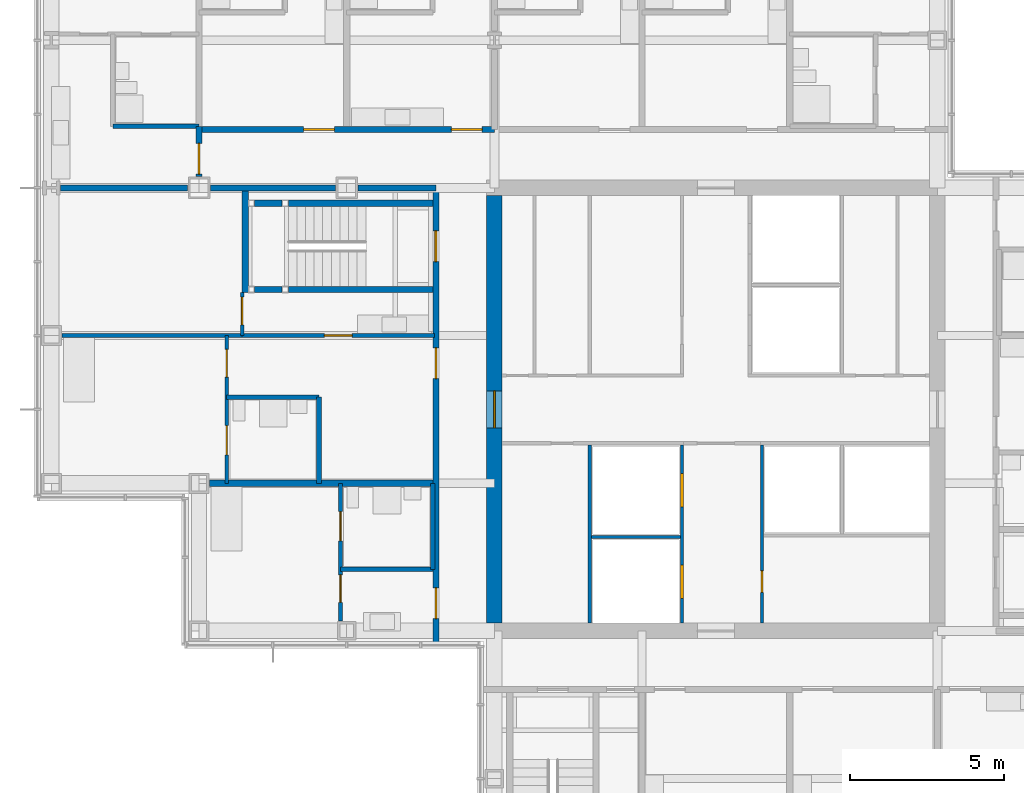
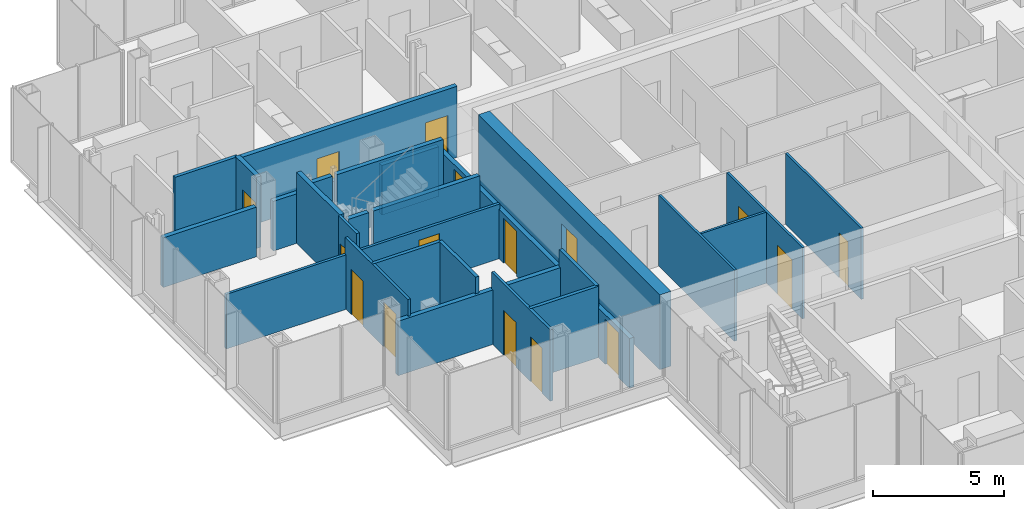
# One storey, part 14 of 20: 27 walls, 16 doors, 16 openings.
"""IFC4 building model written with IfcOpenShell, lengths in metres."""

from ifc_helpers import new_model, si_unit, direction, frame, frame_2d, origin, place, context, subcontext, project, spatial, rectangle, extrude, material, layer, layer_set, type_object, element, fill, save


model = new_model("IFC4")

# Units and contexts
model_context = context("Model", 3, precision=1e-05, world=origin(), true_north=direction((0.0, 1.0)))
body_context = subcontext(model_context, "Body", "Model", "MODEL_VIEW")
ifc_project = project(units=[si_unit("LENGTHUNIT", "METRE"), si_unit("AREAUNIT", "SQUARE_METRE"), si_unit("VOLUMEUNIT", "CUBIC_METRE"), si_unit("PLANEANGLEUNIT", "RADIAN"), si_unit("MASSUNIT", "GRAM", prefix="KILO")], contexts=[model_context])

# Site, building, storey
site_placement = place(None, origin())
site = spatial("IfcSite", under=ifc_project, at=site_placement, CompositionType="ELEMENT")
building_placement = place(site_placement, origin())
building = spatial("IfcBuilding", under=site, at=building_placement, Name="Kvirike Care Tower", CompositionType="ELEMENT")
storey_placement = place(building_placement, frame((0.0, 0.0, 91.0)))
storey = spatial("IfcBuildingStorey", under=building, at=storey_placement, Name="L24", CompositionType="ELEMENT", Elevation=91.0)

# Walls
ifc_material_1 = material(Name="Moisture-resistant board partition", Category="gypsum")
ifc_layer_1 = layer(ifc_material_1, 0.14990234375)
ifc_layer_set_1 = layer_set([ifc_layer_1], Name="BATHROOM WALL 150")
wall_type_1 = type_object("IfcWallType", Name="BATHROOM WALL 150", PredefinedType="PARTITIONING", material=ifc_layer_set_1)
wall_1_placement = place(storey_placement, frame((5.699951171875, 36.39990234375, 0.0), z_axis=(0.0, 0.0, 1.0), x_axis=(1.0, 0.0, 0.0)))
element("IfcWall", 1, at=wall_1_placement, inside=storey, type_object=wall_type_1, Name="Bathroom Wall 150 L24", PredefinedType="PARTITIONING", context=body_context, shape_type="SweptSolid", body=[
    extrude(rectangle(XDim=3.0, YDim=0.14990234375, at=frame_2d((1.5, 0.0))), origin(), (0.0, 0.0, 1.0), 3.330078125),
])
wall_2_placement = place(storey_placement, frame((8.699951171875, 36.39990234375, 0.0), z_axis=(0.0, 0.0, 1.0), x_axis=(0.0, -1.0, 0.0)))
element("IfcWall", 2, at=wall_2_placement, inside=storey, type_object=wall_type_1, Name="Bathroom Wall 150 L24", PredefinedType="PARTITIONING", context=body_context, shape_type="SweptSolid", body=[
    extrude(rectangle(XDim=2.7998046875, YDim=0.14990234375, at=frame_2d((1.39990234375, 0.0))), origin(), (0.0, 0.0, 1.0), 3.330078125),
])
wall_3_placement = place(storey_placement, frame((9.39990234375, 30.800048828125, 0.0), z_axis=(0.0, 0.0, 1.0), x_axis=(1.0, 0.0, 0.0)))
element("IfcWall", 3, at=wall_3_placement, inside=storey, type_object=wall_type_1, Name="Bathroom Wall 150 L24", PredefinedType="PARTITIONING", context=body_context, shape_type="SweptSolid", body=[
    extrude(rectangle(XDim=3.0, YDim=0.14990234375, at=frame_2d((1.5, 0.0))), origin(), (0.0, 0.0, 1.0), 3.330078125),
])
for number, where, z_axis, x_axis, name in (
    (4, (12.39990234375, 33.60009765625, 0.0), (0.0, 0.0, 1.0), (0.0, -1.0, 0.0), "Bathroom Wall 150 L24"),
    (5, (4.800048828125, 45.199951171875, 0.0), (0.0, 0.0, 1.0), (-1.0, 0.0, 0.0), "Bathroom Wall 150 L24"),
):
    element("IfcWall", number, at=place(storey_placement, frame(where, z_axis=z_axis, x_axis=x_axis)), inside=storey, type_object=wall_type_1, Name=name, PredefinedType="PARTITIONING", context=body_context, shape_type="SweptSolid", body=[
        extrude(rectangle(XDim=2.800048828125, YDim=0.14990234375, at=frame_2d((1.39990234375, 0.0))), origin(), (0.0, 0.0, 1.0), 3.330078125),
    ])

# Wall, opening, door
ifc_material_2 = material(Name="Concrete C50/60", Category="concrete")
ifc_layer_2 = layer(ifc_material_2, 0.5)
ifc_layer_set_2 = layer_set([ifc_layer_2], Name="CORE WALL 500 C50-60")
wall_type_2 = type_object("IfcWallType", Name="CORE WALL 500 C50-60", PredefinedType="SHEAR", material=ifc_layer_set_2)
wall_4_placement = place(storey_placement, frame((14.39990234375, 42.949951171875, -0.169921875), z_axis=(0.0, 0.0, 1.0), x_axis=(0.0, -1.0, 0.0)))
wall_4 = element("IfcWall", 6, at=wall_4_placement, inside=storey, type_object=wall_type_2, Name="Core wall W L24", PredefinedType="SHEAR", context=body_context, shape_type="SweptSolid", body=[
    extrude(rectangle(XDim=13.89990234375, YDim=0.5, at=frame_2d((6.949951171875, 0.0))), origin(), (0.0, 0.0, 1.0), 3.5),
])
opening_1_placement = place(wall_4_placement, frame((6.35009765625, 0.0, 0.169921875)))
opening_1 = element("IfcOpeningElement", 7, at=opening_1_placement, cuts=wall_4, Name="Opening 24-067", PredefinedType="OPENING", context=body_context, shape_type="SweptSolid", body=[
    extrude(rectangle(XDim=1.199951171875, YDim=2.10009765625, at=frame_2d((0.60009765625, 1.050048828125))), frame((0.0, 0.260498046875, 0.0), z_axis=(0.0, -1.0, 0.0), x_axis=(1.0, 0.0, 0.0)), (0.0, 0.0, 1.0), 0.52099609375),
])
ifc_material_3 = material(Name="Timber door set", Category="wood")
door_type_1 = type_object("IfcDoorType", Name="CORE DOOR 1200", OperationType="SINGLE_SWING_LEFT", PredefinedType="DOOR", material=ifc_material_3)
door_1_placement = place(opening_1_placement, origin())
door_1 = element("IfcDoor", 8, at=door_1_placement, inside=storey, type_object=door_type_1, Name="Core door W L24", OperationType="SINGLE_SWING_LEFT", OverallHeight=2.10009765625, OverallWidth=1.199951171875, PredefinedType="DOOR", context=body_context, shape_type="SweptSolid", body=[
    extrude(rectangle(XDim=1.199951171875, YDim=2.10009765625, at=frame_2d((0.60009765625, 1.050048828125))), frame((0.0, 0.02685546875, 0.0), z_axis=(0.0, -1.0, 0.0), x_axis=(1.0, 0.0, 0.0)), (0.0, 0.0, 1.0), 0.053955078125),
])
fill(opening_1, door_1)

# Wall, openings, doors
ifc_material_4 = material(Name="Plasterboard corridor wall", Category="gypsum")
ifc_layer_3 = layer(ifc_material_4, 0.199951171875)
ifc_layer_set_3 = layer_set([ifc_layer_3], Name="CORRIDOR WALL 200")
wall_type_3 = type_object("IfcWallType", Name="CORRIDOR WALL 200", PredefinedType="PARTITIONING", material=ifc_layer_set_3)
wall_5_placement = place(storey_placement, frame((12.5, 43.199951171875, 0.0), z_axis=(0.0, 0.0, 1.0), x_axis=(0.0, -1.0, 0.0)))
wall_5 = element("IfcWall", 9, at=wall_5_placement, inside=storey, type_object=wall_type_3, Name="Corridor Wall 200 L24", PredefinedType="PARTITIONING", context=body_context, shape_type="SweptSolid", body=[
    extrude(rectangle(XDim=14.83984375, YDim=0.199951171875, at=frame_2d((7.419921875, 0.0))), origin(), (0.0, 0.0, 1.0), 2.320068359375),
])
opening_2_placement = place(wall_5_placement, frame((1.39990234375, 0.0, 0.0)))
opening_2 = element("IfcOpeningElement", 10, at=opening_2_placement, cuts=wall_5, Name="Opening 24-007", PredefinedType="OPENING", context=body_context, shape_type="SweptSolid", body=[
    extrude(rectangle(XDim=1.0, YDim=2.10009765625, at=frame_2d((0.5, 1.050048828125))), frame((0.0, 0.110595703125, 0.0), z_axis=(0.0, -1.0, 0.0), x_axis=(1.0, 0.0, 0.0)), (0.0, 0.0, 1.0), 0.220947265625),
])
opening_3_placement = place(wall_5_placement, frame((5.199951171875, 0.0, 0.0)))
opening_3 = element("IfcOpeningElement", 11, at=opening_3_placement, cuts=wall_5, Name="Opening 24-008", PredefinedType="OPENING", context=body_context, shape_type="SweptSolid", body=[
    extrude(rectangle(XDim=1.0, YDim=2.10009765625, at=frame_2d((0.5, 1.050048828125))), frame((0.0, 0.110595703125, 0.0), z_axis=(0.0, -1.0, 0.0), x_axis=(1.0, 0.0, 0.0)), (0.0, 0.0, 1.0), 0.220947265625),
])
opening_4_placement = place(wall_5_placement, frame((13.0, 0.0, 0.0)))
opening_4 = element("IfcOpeningElement", 12, at=opening_4_placement, cuts=wall_5, Name="Opening 24-009", PredefinedType="OPENING", context=body_context, shape_type="SweptSolid", body=[
    extrude(rectangle(XDim=1.0, YDim=2.10009765625, at=frame_2d((0.5, 1.050048828125))), frame((0.0, 0.110595703125, 0.0), z_axis=(0.0, -1.0, 0.0), x_axis=(1.0, 0.0, 0.0)), (0.0, 0.0, 1.0), 0.220947265625),
])
ifc_material_5 = material(Name="Timber door set", Category="wood")
door_type_2 = type_object("IfcDoorType", Name="FLAT ENTRANCE DOOR 1000", OperationType="SINGLE_SWING_LEFT", PredefinedType="DOOR", material=ifc_material_5)
door_2_placement = place(opening_3_placement, frame((1.0, 0.0, 0.0), z_axis=(0.0, 0.0, 1.0), x_axis=(-1.0, 0.0, 0.0)))
door_2 = element("IfcDoor", 13, at=door_2_placement, inside=storey, type_object=door_type_2, Name="Assisted living suite entrance", OperationType="SINGLE_SWING_LEFT", OverallHeight=2.10009765625, OverallWidth=1.0, PredefinedType="DOOR", context=body_context, shape_type="SweptSolid", body=[
    extrude(rectangle(XDim=1.0, YDim=2.10009765625, at=frame_2d((0.5, 1.050048828125))), frame((0.0, 0.02685546875, 0.0), z_axis=(0.0, -1.0, 0.0), x_axis=(1.0, 0.0, 0.0)), (0.0, 0.0, 1.0), 0.053955078125),
])
fill(opening_3, door_2)
door_3_placement = place(opening_4_placement, frame((1.0, 0.0, 0.0), z_axis=(0.0, 0.0, 1.0), x_axis=(-1.0, 0.0, 0.0)))
door_3 = element("IfcDoor", 14, at=door_3_placement, inside=storey, type_object=door_type_2, Name="Assisted living suite entrance", OperationType="SINGLE_SWING_RIGHT", OverallHeight=2.10009765625, OverallWidth=1.0, PredefinedType="DOOR", context=body_context, shape_type="SweptSolid", body=[
    extrude(rectangle(XDim=1.0, YDim=2.10009765625, at=frame_2d((0.5, 1.050048828125))), frame((0.0, 0.02685546875, 0.0), z_axis=(0.0, -1.0, 0.0), x_axis=(1.0, 0.0, 0.0)), (0.0, 0.0, 1.0), 0.053955078125),
])
fill(opening_4, door_3)
ifc_material_6 = material(Name="Timber door set", Category="wood")
door_type_3 = type_object("IfcDoorType", Name="STAIR DOOR 1000", OperationType="SINGLE_SWING_LEFT", PredefinedType="DOOR", material=ifc_material_6)
door_4_placement = place(opening_2_placement, frame((1.0, 0.0, 0.0), z_axis=(0.0, 0.0, 1.0), x_axis=(-1.0, 0.0, 0.0)))
door_4 = element("IfcDoor", 15, at=door_4_placement, inside=storey, type_object=door_type_3, Name="Stair 1 door", OperationType="SINGLE_SWING_RIGHT", OverallHeight=2.10009765625, OverallWidth=1.0, PredefinedType="DOOR", context=body_context, shape_type="SweptSolid", body=[
    extrude(rectangle(XDim=1.0, YDim=2.10009765625, at=frame_2d((0.5, 1.050048828125))), frame((0.0, 0.031982421875, 0.0), z_axis=(0.0, -1.0, 0.0), x_axis=(1.0, 0.0, 0.0)), (0.0, 0.0, 1.0), 0.06396484375),
])
fill(opening_2, door_4)

wall_6_placement = place(storey_placement, frame((14.39990234375, 45.10009765625, 0.0), z_axis=(0.0, 0.0, 1.0), x_axis=(-1.0, 0.0, 0.0)))
wall_6 = element("IfcWall", 16, at=wall_6_placement, inside=storey, type_object=wall_type_3, Name="Corridor Wall 200 L24", PredefinedType="PARTITIONING", context=body_context, shape_type="SweptSolid", body=[
    extrude(rectangle(XDim=9.599853515625, YDim=0.199951171875, at=frame_2d((4.7998046875, 0.0))), origin(), (0.0, 0.0, 1.0), 3.330078125),
])
opening_5_placement = place(wall_6_placement, frame((0.39990234375, 0.0, 0.0)))
opening_5 = element("IfcOpeningElement", 17, at=opening_5_placement, cuts=wall_6, Name="Opening 24-016", PredefinedType="OPENING", context=body_context, shape_type="SweptSolid", body=[
    extrude(rectangle(XDim=1.0, YDim=2.10009765625, at=frame_2d((0.5, 1.050048828125))), frame((0.0, 0.110595703125, 0.0), z_axis=(0.0, -1.0, 0.0), x_axis=(1.0, 0.0, 0.0)), (0.0, 0.0, 1.0), 0.220947265625),
])
opening_6_placement = place(wall_6_placement, frame((5.199951171875, 0.0, 0.0)))
opening_6 = element("IfcOpeningElement", 18, at=opening_6_placement, cuts=wall_6, Name="Opening 24-017", PredefinedType="OPENING", context=body_context, shape_type="SweptSolid", body=[
    extrude(rectangle(XDim=1.0, YDim=2.10009765625, at=frame_2d((0.5, 1.050048828125))), frame((0.0, 0.110595703125, 0.0), z_axis=(0.0, -1.0, 0.0), x_axis=(1.0, 0.0, 0.0)), (0.0, 0.0, 1.0), 0.220947265625),
])
door_5_placement = place(opening_5_placement, frame((1.0, 0.0, 0.0), z_axis=(0.0, 0.0, 1.0), x_axis=(-1.0, 0.0, 0.0)))
door_5 = element("IfcDoor", 19, at=door_5_placement, inside=storey, type_object=door_type_2, Name="Assisted living suite entrance", OperationType="SINGLE_SWING_LEFT", OverallHeight=2.10009765625, OverallWidth=1.0, PredefinedType="DOOR", context=body_context, shape_type="SweptSolid", body=[
    extrude(rectangle(XDim=1.0, YDim=2.10009765625, at=frame_2d((0.5, 1.050048828125))), frame((0.0, 0.02685546875, 0.0), z_axis=(0.0, -1.0, 0.0), x_axis=(1.0, 0.0, 0.0)), (0.0, 0.0, 1.0), 0.053955078125),
])
fill(opening_5, door_5)
door_6_placement = place(opening_6_placement, frame((1.0, 0.0, 0.0), z_axis=(0.0, 0.0, 1.0), x_axis=(-1.0, 0.0, 0.0)))
door_6 = element("IfcDoor", 20, at=door_6_placement, inside=storey, type_object=door_type_2, Name="Assisted living suite entrance", OperationType="SINGLE_SWING_LEFT", OverallHeight=2.10009765625, OverallWidth=1.0, PredefinedType="DOOR", context=body_context, shape_type="SweptSolid", body=[
    extrude(rectangle(XDim=1.0, YDim=2.10009765625, at=frame_2d((0.5, 1.050048828125))), frame((0.0, 0.02685546875, 0.0), z_axis=(0.0, -1.0, 0.0), x_axis=(1.0, 0.0, 0.0)), (0.0, 0.0, 1.0), 0.053955078125),
])
fill(opening_6, door_6)

# Wall, opening, door
wall_7_placement = place(storey_placement, frame((4.800048828125, 45.199951171875, 0.0), z_axis=(0.0, 0.0, 1.0), x_axis=(0.0, -1.0, 0.0)))
wall_7 = element("IfcWall", 21, at=wall_7_placement, inside=storey, type_object=wall_type_3, Name="Corridor Wall 200 L24", PredefinedType="PARTITIONING", context=body_context, shape_type="SweptSolid", body=[
    extrude(rectangle(XDim=1.6298828125, YDim=0.199951171875, at=frame_2d((0.81494140625, 0.0))), origin(), (0.0, 0.0, 1.0), 3.330078125),
])
opening_7_placement = place(wall_7_placement, frame((0.550048828125, 0.0, 0.0)))
opening_7 = element("IfcOpeningElement", 22, at=opening_7_placement, cuts=wall_7, Name="Opening 24-018", PredefinedType="OPENING", context=body_context, shape_type="SweptSolid", body=[
    extrude(rectangle(XDim=1.0, YDim=2.10009765625, at=frame_2d((0.5, 1.050048828125))), frame((0.0, 0.110595703125, 0.0), z_axis=(0.0, -1.0, 0.0), x_axis=(1.0, 0.0, 0.0)), (0.0, 0.0, 1.0), 0.220947265625),
])
door_7_placement = place(opening_7_placement, frame((1.0, 0.0, 0.0), z_axis=(0.0, 0.0, 1.0), x_axis=(-1.0, 0.0, 0.0)))
door_7 = element("IfcDoor", 23, at=door_7_placement, inside=storey, type_object=door_type_2, Name="Assisted living suite entrance", OperationType="SINGLE_SWING_RIGHT", OverallHeight=2.10009765625, OverallWidth=1.0, PredefinedType="DOOR", context=body_context, shape_type="SweptSolid", body=[
    extrude(rectangle(XDim=1.0, YDim=2.10009765625, at=frame_2d((0.5, 1.050048828125))), frame((0.0, 0.02685546875, 0.0), z_axis=(0.0, -1.0, 0.0), x_axis=(1.0, 0.0, 0.0)), (0.0, 0.0, 1.0), 0.053955078125),
])
fill(opening_7, door_7)

ifc_material_7 = material(Name="Plasterboard partition", Category="gypsum")
ifc_layer_4 = layer(ifc_material_7, 0.1201171875)
ifc_layer_set_4 = layer_set([ifc_layer_4], Name="PARTITION 120")
wall_type_4 = type_object("IfcWallType", Name="PARTITION 120", PredefinedType="PARTITIONING", material=ifc_layer_set_4)
wall_8_placement = place(storey_placement, frame((6.199951171875, 38.39990234375, 0.0), z_axis=(0.0, 0.0, 1.0), x_axis=(1.0, 0.0, 0.0)))
wall_8 = element("IfcWall", 24, at=wall_8_placement, inside=storey, type_object=wall_type_4, Name="Partition 120 L24", PredefinedType="PARTITIONING", context=body_context, shape_type="SweptSolid", body=[
    extrude(rectangle(XDim=6.25, YDim=0.1201171875, at=frame_2d((3.125, 0.0))), origin(), (0.0, 0.0, 1.0), 2.550048828125),
])
opening_8_placement = place(wall_8_placement, frame((2.675048828125, 0.0, 0.0)))
opening_8 = element("IfcOpeningElement", 25, at=opening_8_placement, cuts=wall_8, Name="Opening 24-001", PredefinedType="OPENING", context=body_context, shape_type="SweptSolid", body=[
    extrude(rectangle(XDim=0.89990234375, YDim=2.10009765625, at=frame_2d((0.449951171875, 1.050048828125))), frame((0.0, 0.070556640625, 0.0), z_axis=(0.0, -1.0, 0.0), x_axis=(1.0, 0.0, 0.0)), (0.0, 0.0, 1.0), 0.14111328125),
])
ifc_material_8 = material(Name="Timber door set", Category="wood")
door_type_4 = type_object("IfcDoorType", Name="INTERNAL DOOR 900", OperationType="SINGLE_SWING_LEFT", PredefinedType="DOOR", material=ifc_material_8)
door_8_placement = place(opening_8_placement, origin())
door_8 = element("IfcDoor", 26, at=door_8_placement, inside=storey, type_object=door_type_4, Name="Hall door", OperationType="SINGLE_SWING_LEFT", OverallHeight=2.10009765625, OverallWidth=0.89990234375, PredefinedType="DOOR", context=body_context, shape_type="SweptSolid", body=[
    extrude(rectangle(XDim=0.89990234375, YDim=2.10009765625, at=frame_2d((0.449951171875, 1.050048828125))), frame((0.0, 0.02197265625, 0.0), z_axis=(0.0, -1.0, 0.0), x_axis=(1.0, 0.0, 0.0)), (0.0, 0.0, 1.0), 0.0439453125),
])
fill(opening_8, door_8)

wall_9_placement = place(storey_placement, frame((6.199951171875, 39.800048828125, 0.0), z_axis=(0.0, 0.0, 1.0), x_axis=(0.0, -1.0, 0.0)))
wall_9 = element("IfcWall", 27, at=wall_9_placement, inside=storey, type_object=wall_type_4, Name="Partition 120 L24", PredefinedType="PARTITIONING", context=body_context, shape_type="SweptSolid", body=[
    extrude(rectangle(XDim=1.400146484375, YDim=0.1201171875, at=frame_2d((0.7001953125, 0.0))), origin(), (0.0, 0.0, 1.0), 3.330078125),
])
opening_9_placement = place(wall_9_placement, frame((0.14990234375, 0.0, 0.0)))
opening_9 = element("IfcOpeningElement", 28, at=opening_9_placement, cuts=wall_9, Name="Opening 24-002", PredefinedType="OPENING", context=body_context, shape_type="SweptSolid", body=[
    extrude(rectangle(XDim=0.89990234375, YDim=2.10009765625, at=frame_2d((0.449951171875, 1.050048828125))), frame((0.0, 0.070556640625, 0.0), z_axis=(0.0, -1.0, 0.0), x_axis=(1.0, 0.0, 0.0)), (0.0, 0.0, 1.0), 0.14111328125),
])
door_9_placement = place(opening_9_placement, origin())
door_9 = element("IfcDoor", 29, at=door_9_placement, inside=storey, type_object=door_type_4, Name="Suite sitting room door", OperationType="SINGLE_SWING_RIGHT", OverallHeight=2.10009765625, OverallWidth=0.89990234375, PredefinedType="DOOR", context=body_context, shape_type="SweptSolid", body=[
    extrude(rectangle(XDim=0.89990234375, YDim=2.10009765625, at=frame_2d((0.449951171875, 1.050048828125))), frame((0.0, 0.02197265625, 0.0), z_axis=(0.0, -1.0, 0.0), x_axis=(1.0, 0.0, 0.0)), (0.0, 0.0, 1.0), 0.0439453125),
])
fill(opening_9, door_9)

# Wall, openings, doors
wall_10_placement = place(storey_placement, frame((5.699951171875, 38.39990234375, 0.0), z_axis=(0.0, 0.0, 1.0), x_axis=(0.0, -1.0, 0.0)))
wall_10 = element("IfcWall", 30, at=wall_10_placement, inside=storey, type_object=wall_type_4, Name="Partition 120 L24", PredefinedType="PARTITIONING", context=body_context, shape_type="SweptSolid", body=[
    extrude(rectangle(XDim=4.7998046875, YDim=0.1201171875, at=frame_2d((2.39990234375, 0.0))), origin(), (0.0, 0.0, 1.0), 3.330078125),
])
opening_10_placement = place(wall_10_placement, frame((0.449951171875, 0.0, 0.0)))
opening_10 = element("IfcOpeningElement", 31, at=opening_10_placement, cuts=wall_10, Name="Opening 24-003", PredefinedType="OPENING", context=body_context, shape_type="SweptSolid", body=[
    extrude(rectangle(XDim=0.89990234375, YDim=2.10009765625, at=frame_2d((0.449951171875, 1.050048828125))), frame((0.0, 0.070556640625, 0.0), z_axis=(0.0, -1.0, 0.0), x_axis=(1.0, 0.0, 0.0)), (0.0, 0.0, 1.0), 0.14111328125),
])
opening_11_placement = place(wall_10_placement, frame((2.925048828125, 0.0, 0.0)))
opening_11 = element("IfcOpeningElement", 32, at=opening_11_placement, cuts=wall_10, Name="Opening 24-004", PredefinedType="OPENING", context=body_context, shape_type="SweptSolid", body=[
    extrude(rectangle(XDim=0.949951171875, YDim=2.10009765625, at=frame_2d((0.47509765625, 1.050048828125))), frame((0.0, 0.070556640625, 0.0), z_axis=(0.0, -1.0, 0.0), x_axis=(1.0, 0.0, 0.0)), (0.0, 0.0, 1.0), 0.14111328125),
])
ifc_material_9 = material(Name="Timber door set", Category="wood")
door_type_5 = type_object("IfcDoorType", Name="EN-SUITE SLIDING DOOR 950", OperationType="SLIDING_TO_LEFT", PredefinedType="DOOR", material=ifc_material_9)
door_10_placement = place(opening_11_placement, origin())
door_10 = element("IfcDoor", 33, at=door_10_placement, inside=storey, type_object=door_type_5, Name="En-suite door", OperationType="SLIDING_TO_LEFT", OverallHeight=2.10009765625, OverallWidth=0.949951171875, PredefinedType="DOOR", context=body_context, shape_type="SweptSolid", body=[
    extrude(rectangle(XDim=0.949951171875, YDim=2.10009765625, at=frame_2d((0.47509765625, 1.050048828125))), frame((0.0, 0.02197265625, 0.0), z_axis=(0.0, -1.0, 0.0), x_axis=(1.0, 0.0, 0.0)), (0.0, 0.0, 1.0), 0.0439453125),
])
fill(opening_11, door_10)
door_11_placement = place(opening_10_placement, origin())
door_11 = element("IfcDoor", 34, at=door_11_placement, inside=storey, type_object=door_type_4, Name="Assisted living suite door", OperationType="SINGLE_SWING_RIGHT", OverallHeight=2.10009765625, OverallWidth=0.89990234375, PredefinedType="DOOR", context=body_context, shape_type="SweptSolid", body=[
    extrude(rectangle(XDim=0.89990234375, YDim=2.10009765625, at=frame_2d((0.449951171875, 1.050048828125))), frame((0.0, 0.02197265625, 0.0), z_axis=(0.0, -1.0, 0.0), x_axis=(1.0, 0.0, 0.0)), (0.0, 0.0, 1.0), 0.0439453125),
])
fill(opening_10, door_11)

# Wall
wall_11_placement = place(storey_placement, frame((0.344970703125, 38.39990234375, 0.0), z_axis=(0.0, 0.0, 1.0), x_axis=(1.0, 0.0, 0.0)))
element("IfcWall", 35, at=wall_11_placement, inside=storey, type_object=wall_type_4, Name="Partition 120 L24", PredefinedType="PARTITIONING", context=body_context, shape_type="SweptSolid", body=[
    extrude(rectangle(XDim=5.85498046875, YDim=0.1201171875, at=frame_2d((2.927490234375, 0.0))), origin(), (0.0, 0.0, 1.0), 2.550048828125),
])

# Wall, openings, doors
wall_12_placement = place(storey_placement, frame((9.39990234375, 33.60009765625, 0.0), z_axis=(0.0, 0.0, 1.0), x_axis=(0.0, -1.0, 0.0)))
wall_12 = element("IfcWall", 36, at=wall_12_placement, inside=storey, type_object=wall_type_4, Name="Partition 120 L24", PredefinedType="PARTITIONING", context=body_context, shape_type="SweptSolid", body=[
    extrude(rectangle(XDim=4.47998046875, YDim=0.1201171875, at=frame_2d((2.239990234375, 0.0))), origin(), (0.0, 0.0, 1.0), 3.330078125),
])
opening_12_placement = place(wall_12_placement, frame((2.97509765625, 0.0, 0.0)))
opening_12 = element("IfcOpeningElement", 37, at=opening_12_placement, cuts=wall_12, Name="Opening 24-005", PredefinedType="OPENING", context=body_context, shape_type="SweptSolid", body=[
    extrude(rectangle(XDim=0.89990234375, YDim=2.10009765625, at=frame_2d((0.449951171875, 1.050048828125))), frame((0.0, 0.070556640625, 0.0), z_axis=(0.0, -1.0, 0.0), x_axis=(1.0, 0.0, 0.0)), (0.0, 0.0, 1.0), 0.14111328125),
])
opening_13_placement = place(wall_12_placement, frame((0.925048828125, 0.0, 0.0)))
opening_13 = element("IfcOpeningElement", 38, at=opening_13_placement, cuts=wall_12, Name="Opening 24-006", PredefinedType="OPENING", context=body_context, shape_type="SweptSolid", body=[
    extrude(rectangle(XDim=0.949951171875, YDim=2.10009765625, at=frame_2d((0.47509765625, 1.050048828125))), frame((0.0, 0.070556640625, 0.0), z_axis=(0.0, -1.0, 0.0), x_axis=(1.0, 0.0, 0.0)), (0.0, 0.0, 1.0), 0.14111328125),
])
door_12_placement = place(opening_13_placement, origin())
door_12 = element("IfcDoor", 39, at=door_12_placement, inside=storey, type_object=door_type_5, Name="En-suite door", OperationType="SLIDING_TO_RIGHT", OverallHeight=2.10009765625, OverallWidth=0.949951171875, PredefinedType="DOOR", context=body_context, shape_type="SweptSolid", body=[
    extrude(rectangle(XDim=0.949951171875, YDim=2.10009765625, at=frame_2d((0.47509765625, 1.050048828125))), frame((0.0, 0.02197265625, 0.0), z_axis=(0.0, -1.0, 0.0), x_axis=(1.0, 0.0, 0.0)), (0.0, 0.0, 1.0), 0.0439453125),
])
fill(opening_13, door_12)
door_13_placement = place(opening_12_placement, origin())
door_13 = element("IfcDoor", 40, at=door_13_placement, inside=storey, type_object=door_type_4, Name="Assisted living suite door", OperationType="SINGLE_SWING_RIGHT", OverallHeight=2.10009765625, OverallWidth=0.89990234375, PredefinedType="DOOR", context=body_context, shape_type="SweptSolid", body=[
    extrude(rectangle(XDim=0.89990234375, YDim=2.10009765625, at=frame_2d((0.449951171875, 1.050048828125))), frame((0.0, 0.02197265625, 0.0), z_axis=(0.0, -1.0, 0.0), x_axis=(1.0, 0.0, 0.0)), (0.0, 0.0, 1.0), 0.0439453125),
])
fill(opening_12, door_13)

# Walls
ifc_material_10 = material(Name="Plasterboard party wall", Category="gypsum")
ifc_layer_5 = layer(ifc_material_10, 0.199951171875)
ifc_layer_set_5 = layer_set([ifc_layer_5], Name="PARTY WALL 200")
wall_type_5 = type_object("IfcWallType", Name="PARTY WALL 200", PredefinedType="PARTITIONING", material=ifc_layer_set_5)
wall_13_placement = place(storey_placement, frame((5.14501953125, 33.60009765625, 0.0), z_axis=(0.0, 0.0, 1.0), x_axis=(1.0, 0.0, 0.0)))
element("IfcWall", 41, at=wall_13_placement, inside=storey, type_object=wall_type_5, Name="Party Wall 200 L24", PredefinedType="PARTITIONING", context=body_context, shape_type="SweptSolid", body=[
    extrude(rectangle(XDim=7.2548828125, YDim=0.199951171875, at=frame_2d((3.62744140625, 0.0))), origin(), (0.0, 0.0, 1.0), 2.550048828125),
])
wall_14_placement = place(storey_placement, frame((12.5, 43.199951171875, 0.0), z_axis=(0.0, 0.0, 1.0), x_axis=(-1.0, 0.0, 0.0)))
element("IfcWall", 42, at=wall_14_placement, inside=storey, type_object=wall_type_5, Name="Party Wall 200 L24", PredefinedType="PARTITIONING", context=body_context, shape_type="SweptSolid", body=[
    extrude(rectangle(XDim=2.530029296875, YDim=0.199951171875, at=frame_2d((1.26513671875, 0.0))), origin(), (0.0, 0.0, 1.0), 2.320068359375),
])
wall_15_placement = place(storey_placement, frame((9.22998046875, 43.199951171875, 0.0), z_axis=(0.0, 0.0, 1.0), x_axis=(-1.0, 0.0, 0.0)))
element("IfcWall", 43, at=wall_15_placement, inside=storey, type_object=wall_type_5, Name="Party Wall 200 L24", PredefinedType="PARTITIONING", context=body_context, shape_type="SweptSolid", body=[
    extrude(rectangle(XDim=4.06005859375, YDim=0.199951171875, at=frame_2d((2.030029296875, 0.0))), origin(), (0.0, 0.0, 1.0), 2.320068359375),
])
wall_16_placement = place(storey_placement, frame((4.429931640625, 43.199951171875, 0.0), z_axis=(0.0, 0.0, 1.0), x_axis=(-1.0, 0.0, 0.0)))
element("IfcWall", 44, at=wall_16_placement, inside=storey, type_object=wall_type_5, Name="Party Wall 200 L24", PredefinedType="PARTITIONING", context=body_context, shape_type="SweptSolid", body=[
    extrude(rectangle(XDim=4.12548828125, YDim=0.199951171875, at=frame_2d((2.062744140625, 0.0))), origin(), (0.0, 0.0, 1.0), 2.320068359375),
])

# Wall, openings, doors
ifc_material_11 = material(Name="Gypsum shaft wall system", Category="gypsum")
ifc_layer_6 = layer(ifc_material_11, 0.10009765625)
ifc_layer_set_6 = layer_set([ifc_layer_6], Name="SHAFT WALL 100")
wall_type_6 = type_object("IfcWallType", Name="SHAFT WALL 100", PredefinedType="SOLIDWALL", material=ifc_layer_set_6)
wall_17_placement = place(storey_placement, frame((20.5, 29.050048828125, 0.0), z_axis=(0.0, 0.0, 1.0), x_axis=(0.0, 1.0, 0.0)))
wall_17 = element("IfcWall", 45, at=wall_17_placement, inside=storey, type_object=wall_type_6, Name="Shaft Wall 100 L24", PredefinedType="SOLIDWALL", context=body_context, shape_type="SweptSolid", body=[
    extrude(rectangle(XDim=5.800048828125, YDim=0.10009765625, at=frame_2d((2.89990234375, 0.0))), origin(), (0.0, 0.0, 1.0), 3.330078125),
])
opening_14_placement = place(wall_17_placement, frame((0.800048828125, 0.0, 0.0)))
opening_14 = element("IfcOpeningElement", 46, at=opening_14_placement, cuts=wall_17, Name="Opening 24-054", PredefinedType="OPENING", context=body_context, shape_type="SweptSolid", body=[
    extrude(rectangle(XDim=1.10009765625, YDim=2.300048828125, at=frame_2d((0.550048828125, 1.14990234375))), frame((0.0, 0.060546875, 0.0), z_axis=(0.0, -1.0, 0.0), x_axis=(1.0, 0.0, 0.0)), (0.0, 0.0, 1.0), 0.12109375),
])
opening_15_placement = place(wall_17_placement, frame((3.77490234375, 0.0, 0.0)))
opening_15 = element("IfcOpeningElement", 47, at=opening_15_placement, cuts=wall_17, Name="Opening 24-055", PredefinedType="OPENING", context=body_context, shape_type="SweptSolid", body=[
    extrude(rectangle(XDim=1.10009765625, YDim=2.300048828125, at=frame_2d((0.550048828125, 1.14990234375))), frame((0.0, 0.060546875, 0.0), z_axis=(0.0, -1.0, 0.0), x_axis=(1.0, 0.0, 0.0)), (0.0, 0.0, 1.0), 0.12109375),
])
ifc_material_12 = material(Name="Aluminium door frame", Category="aluminium")
door_type_6 = type_object("IfcDoorType", Name="FIRE-FIGHTING LIFT LANDING DOOR 1100", OperationType="SLIDING_TO_LEFT", PredefinedType="DOOR", material=ifc_material_12)
door_14_placement = place(opening_14_placement, origin())
door_14 = element("IfcDoor", 48, at=door_14_placement, inside=storey, type_object=door_type_6, Name="Lift FF1 landing door", OperationType="SLIDING_TO_LEFT", OverallHeight=2.300048828125, OverallWidth=1.10009765625, PredefinedType="DOOR", context=body_context, shape_type="SweptSolid", body=[
    extrude(rectangle(XDim=1.10009765625, YDim=2.300048828125, at=frame_2d((0.550048828125, 1.14990234375))), frame((0.0, 0.0498046875, 0.0), z_axis=(0.0, -1.0, 0.0), x_axis=(1.0, 0.0, 0.0)), (0.0, 0.0, 1.0), 0.099609375),
])
fill(opening_14, door_14)
door_15_placement = place(opening_15_placement, origin())
door_15 = element("IfcDoor", 49, at=door_15_placement, inside=storey, type_object=door_type_6, Name="Lift FF2 landing door", OperationType="SLIDING_TO_LEFT", OverallHeight=2.300048828125, OverallWidth=1.10009765625, PredefinedType="DOOR", context=body_context, shape_type="SweptSolid", body=[
    extrude(rectangle(XDim=1.10009765625, YDim=2.300048828125, at=frame_2d((0.550048828125, 1.14990234375))), frame((0.0, 0.0498046875, 0.0), z_axis=(0.0, -1.0, 0.0), x_axis=(1.0, 0.0, 0.0)), (0.0, 0.0, 1.0), 0.099609375),
])
fill(opening_15, door_15)

# Wall, opening, door
wall_18_placement = place(storey_placement, frame((23.10009765625, 29.050048828125, 0.0), z_axis=(0.0, 0.0, 1.0), x_axis=(0.0, 1.0, 0.0)))
wall_18 = element("IfcWall", 50, at=wall_18_placement, inside=storey, type_object=wall_type_6, Name="Shaft Wall 100 L24", PredefinedType="SOLIDWALL", context=body_context, shape_type="SweptSolid", body=[
    extrude(rectangle(XDim=5.800048828125, YDim=0.10009765625, at=frame_2d((2.89990234375, 0.0))), origin(), (0.0, 0.0, 1.0), 3.330078125),
])
opening_16_placement = place(wall_18_placement, frame((1.0, 0.0, 0.0)))
opening_16 = element("IfcOpeningElement", 51, at=opening_16_placement, cuts=wall_18, Name="Opening 24-059", PredefinedType="OPENING", context=body_context, shape_type="SweptSolid", body=[
    extrude(rectangle(XDim=0.699951171875, YDim=2.10009765625, at=frame_2d((0.35009765625, 1.050048828125))), frame((0.0, 0.060546875, 0.0), z_axis=(0.0, -1.0, 0.0), x_axis=(1.0, 0.0, 0.0)), (0.0, 0.0, 1.0), 0.12109375),
])
ifc_material_13 = material(Name="Timber door set", Category="wood")
door_type_7 = type_object("IfcDoorType", Name="RISER DOOR 700", OperationType="SINGLE_SWING_LEFT", PredefinedType="DOOR", material=ifc_material_13)
door_16_placement = place(opening_16_placement, origin())
door_16 = element("IfcDoor", 52, at=door_16_placement, inside=storey, type_object=door_type_7, Name="Riser door", OperationType="SINGLE_SWING_RIGHT", OverallHeight=2.10009765625, OverallWidth=0.699951171875, PredefinedType="DOOR", context=body_context, shape_type="SweptSolid", body=[
    extrude(rectangle(XDim=0.699951171875, YDim=2.10009765625, at=frame_2d((0.35009765625, 1.050048828125))), frame((0.0, 0.02685546875, 0.0), z_axis=(0.0, -1.0, 0.0), x_axis=(1.0, 0.0, 0.0)), (0.0, 0.0, 1.0), 0.053955078125),
])
fill(opening_16, door_16)

# Walls
wall_19_placement = place(storey_placement, frame((17.5, 29.050048828125, 0.0), z_axis=(0.0, 0.0, 1.0), x_axis=(0.0, 1.0, 0.0)))
element("IfcWall", 53, at=wall_19_placement, inside=storey, type_object=wall_type_6, Name="Shaft Wall 100 L24", PredefinedType="SOLIDWALL", context=body_context, shape_type="SweptSolid", body=[
    extrude(rectangle(XDim=5.800048828125, YDim=0.10009765625, at=frame_2d((2.89990234375, 0.0))), origin(), (0.0, 0.0, 1.0), 3.330078125),
])
wall_20_placement = place(storey_placement, frame((17.550048828125, 31.85009765625, 0.0), z_axis=(0.0, 0.0, 1.0), x_axis=(1.0, 0.0, 0.0)))
element("IfcWall", 54, at=wall_20_placement, inside=storey, type_object=wall_type_6, Name="Shaft Wall 100 L24", PredefinedType="SOLIDWALL", context=body_context, shape_type="SweptSolid", body=[
    extrude(rectangle(XDim=2.89990234375, YDim=0.10009765625, at=frame_2d((1.449951171875, 0.0))), origin(), (0.0, 0.0, 1.0), 3.330078125),
])
ifc_material_14 = material(Name="Concrete C40/50", Category="concrete")
ifc_layer_7 = layer(ifc_material_14, 0.199951171875)
ifc_layer_set_7 = layer_set([ifc_layer_7], Name="STAIR WALL 200")
wall_type_7 = type_object("IfcWallType", Name="STAIR WALL 200", PredefinedType="SOLIDWALL", material=ifc_layer_set_7)
wall_21_placement = place(storey_placement, frame((6.60009765625, 42.699951171875, 0.0), z_axis=(0.0, 0.0, 1.0), x_axis=(1.0, 0.0, 0.0)))
element("IfcWall", 55, at=wall_21_placement, inside=storey, type_object=wall_type_7, Name="Stair Wall 200 L24", PredefinedType="SOLIDWALL", context=body_context, shape_type="SweptSolid", body=[
    extrude(rectangle(XDim=0.89990234375, YDim=0.199951171875, at=frame_2d((0.449951171875, 0.0))), origin(), (0.0, 0.0, 1.0), 2.989990234375),
])
wall_22_placement = place(storey_placement, frame((7.699951171875, 42.699951171875, 0.0), z_axis=(0.0, 0.0, 1.0), x_axis=(1.0, 0.0, 0.0)))
element("IfcWall", 56, at=wall_22_placement, inside=storey, type_object=wall_type_7, Name="Stair Wall 200 L24", PredefinedType="SOLIDWALL", context=body_context, shape_type="SweptSolid", body=[
    extrude(rectangle(XDim=4.699951171875, YDim=0.199951171875, at=frame_2d((2.35009765625, 0.0))), origin(), (0.0, 0.0, 1.0), 2.989990234375),
])
wall_23_placement = place(storey_placement, frame((6.60009765625, 39.89990234375, 0.0), z_axis=(0.0, 0.0, 1.0), x_axis=(1.0, 0.0, 0.0)))
element("IfcWall", 57, at=wall_23_placement, inside=storey, type_object=wall_type_7, Name="Stair Wall 200 L24", PredefinedType="SOLIDWALL", context=body_context, shape_type="SweptSolid", body=[
    extrude(rectangle(XDim=0.89990234375, YDim=0.199951171875, at=frame_2d((0.449951171875, 0.0))), origin(), (0.0, 0.0, 1.0), 2.989990234375),
])
wall_24_placement = place(storey_placement, frame((7.699951171875, 39.89990234375, 0.0), z_axis=(0.0, 0.0, 1.0), x_axis=(1.0, 0.0, 0.0)))
element("IfcWall", 58, at=wall_24_placement, inside=storey, type_object=wall_type_7, Name="Stair Wall 200 L24", PredefinedType="SOLIDWALL", context=body_context, shape_type="SweptSolid", body=[
    extrude(rectangle(XDim=4.699951171875, YDim=0.199951171875, at=frame_2d((2.35009765625, 0.0))), origin(), (0.0, 0.0, 1.0), 2.989990234375),
])
wall_25_placement = place(storey_placement, frame((6.300048828125, 43.10009765625, 0.0), z_axis=(0.0, 0.0, 1.0), x_axis=(0.0, -1.0, 0.0)))
element("IfcWall", 59, at=wall_25_placement, inside=storey, type_object=wall_type_7, Name="Stair Wall 200 L24", PredefinedType="SOLIDWALL", context=body_context, shape_type="SweptSolid", body=[
    extrude(rectangle(XDim=3.300048828125, YDim=0.199951171875, at=frame_2d((1.64990234375, 0.0))), origin(), (0.0, 0.0, 1.0), 3.330078125),
])

save(model, "model.ifc")
